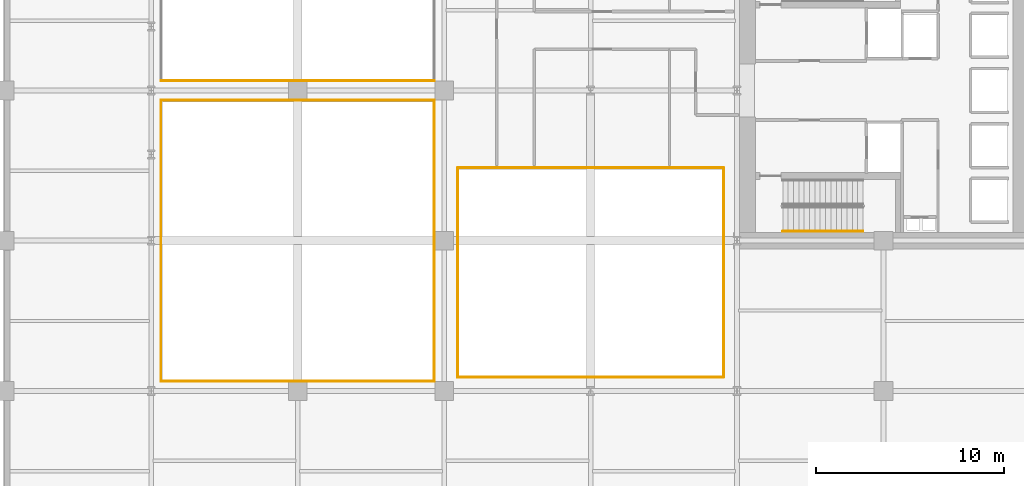
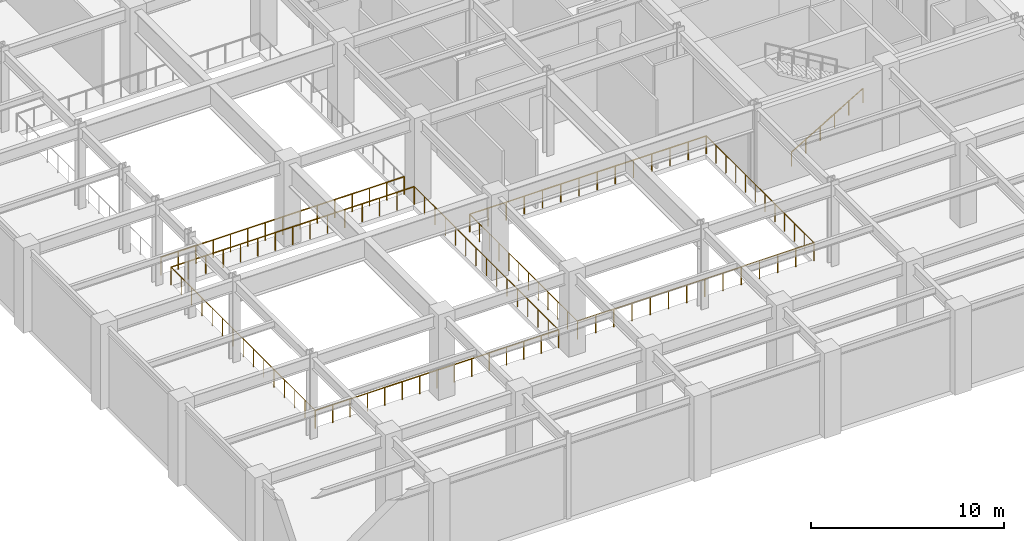
# One storey, part 12 of 15: 10 railings.
"""IFC4 building model written with IfcOpenShell, lengths in metres."""

from ifc_helpers import new_model, si_unit, direction, frame, origin, origin_2d, place, context, subcontext, project, spatial, circle, extrude, material, type_object, element, save


model = new_model("IFC4")

# Units and contexts
model_context = context("Model", 3, precision=1e-05, world=origin(), true_north=direction((0.0, 1.0)))
body_context = subcontext(model_context, "Body", "Model", "MODEL_VIEW")
ifc_project = project(units=[si_unit("LENGTHUNIT", "METRE"), si_unit("AREAUNIT", "SQUARE_METRE"), si_unit("VOLUMEUNIT", "CUBIC_METRE"), si_unit("PLANEANGLEUNIT", "RADIAN"), si_unit("MASSUNIT", "GRAM", prefix="KILO")], contexts=[model_context])

# Site, building, storey
site_placement = place(None, origin())
site = spatial("IfcSite", under=ifc_project, at=site_placement, CompositionType="ELEMENT")
building_placement = place(site_placement, origin())
building = spatial("IfcBuilding", under=site, at=building_placement, Name="Veymaron Broadcast Tower", CompositionType="ELEMENT")
storey_placement = place(building_placement, frame((0.0, 0.0, 5.39990234375)))
storey = spatial("IfcBuildingStorey", under=building, at=storey_placement, Name="L01", CompositionType="ELEMENT", Elevation=5.39990234375)

# Railings
ifc_material_1 = material(Name="Laminated structural glass and stainless handrail", Category="glass")
railing_type_1 = type_object("IfcRailingType", Name="RAIL-ATR-BAL", PredefinedType="BALUSTRADE", material=ifc_material_1)
railing_1_placement = place(storey_placement, frame((8.320068359375, 8.52001953125, 0.0)))
element("IfcRailing", 1, at=railing_1_placement, inside=storey, type_object=railing_type_1, Name="L01 double-height studio void V1 balustrade 1", PredefinedType="BALUSTRADE", context=body_context, shape_type="SweptSolid", body=[
    extrude(circle(Radius=0.02392578125, at=origin_2d()), frame((0.0, 0.0, 1.1259765625), z_axis=(1.0, 0.0, 0.0), x_axis=(0.0, 1.0, 0.0)), (0.0, 0.0, 1.0), 14.559814453125),
    extrude(circle(Radius=0.02099609375, at=origin_2d()), origin(), (0.0, 0.0, 1.0), 1.101806640625),
    extrude(circle(Radius=0.02099609375, at=origin_2d()), frame((1.0400390625, 0.0, 0.0)), (0.0, 0.0, 1.0), 1.101806640625),
    extrude(circle(Radius=0.02099609375, at=origin_2d()), frame((2.080078125, 0.0, 0.0)), (0.0, 0.0, 1.0), 1.101806640625),
    extrude(circle(Radius=0.02099609375, at=origin_2d()), frame((3.119873046875, 0.0, 0.0)), (0.0, 0.0, 1.0), 1.101806640625),
    extrude(circle(Radius=0.02099609375, at=origin_2d()), frame((4.159912109375, 0.0, 0.0)), (0.0, 0.0, 1.0), 1.101806640625),
    extrude(circle(Radius=0.02099609375, at=origin_2d()), frame((5.199951171875, 0.0, 0.0)), (0.0, 0.0, 1.0), 1.101806640625),
    extrude(circle(Radius=0.02099609375, at=origin_2d()), frame((6.239990234375, 0.0, 0.0)), (0.0, 0.0, 1.0), 1.101806640625),
    extrude(circle(Radius=0.02099609375, at=origin_2d()), frame((7.27978515625, 0.0, 0.0)), (0.0, 0.0, 1.0), 1.101806640625),
    extrude(circle(Radius=0.02099609375, at=origin_2d()), frame((8.31982421875, 0.0, 0.0)), (0.0, 0.0, 1.0), 1.101806640625),
    extrude(circle(Radius=0.02099609375, at=origin_2d()), frame((9.35986328125, 0.0, 0.0)), (0.0, 0.0, 1.0), 1.101806640625),
    extrude(circle(Radius=0.02099609375, at=origin_2d()), frame((10.39990234375, 0.0, 0.0)), (0.0, 0.0, 1.0), 1.101806640625),
    extrude(circle(Radius=0.02099609375, at=origin_2d()), frame((11.43994140625, 0.0, 0.0)), (0.0, 0.0, 1.0), 1.101806640625),
    extrude(circle(Radius=0.02099609375, at=origin_2d()), frame((12.479736328125, 0.0, 0.0)), (0.0, 0.0, 1.0), 1.101806640625),
    extrude(circle(Radius=0.02099609375, at=origin_2d()), frame((13.519775390625, 0.0, 0.0)), (0.0, 0.0, 1.0), 1.101806640625),
    extrude(circle(Radius=0.02099609375, at=origin_2d()), frame((14.559814453125, 0.0, 0.0)), (0.0, 0.0, 1.0), 1.101806640625),
])
railing_2_placement = place(storey_placement, frame((22.8798828125, 8.52001953125, 0.0)))
element("IfcRailing", 2, at=railing_2_placement, inside=storey, type_object=railing_type_1, Name="L01 double-height studio void V1 balustrade 2", PredefinedType="BALUSTRADE", context=body_context, shape_type="SweptSolid", body=[
    extrude(circle(Radius=0.02392578125, at=origin_2d()), frame((0.0, 0.0, 1.1259765625), z_axis=(0.0, 1.0, 0.0), x_axis=(-1.0, 0.0, 0.0)), (0.0, 0.0, 1.0), 14.9599609375),
    extrude(circle(Radius=0.02099609375, at=origin_2d()), origin(), (0.0, 0.0, 1.0), 1.101806640625),
    extrude(circle(Radius=0.02099609375, at=origin_2d()), frame((0.0, 1.068603515625, 0.0)), (0.0, 0.0, 1.0), 1.101806640625),
    extrude(circle(Radius=0.02099609375, at=origin_2d()), frame((0.0, 2.13720703125, 0.0)), (0.0, 0.0, 1.0), 1.101806640625),
    extrude(circle(Radius=0.02099609375, at=origin_2d()), frame((0.0, 3.205810546875, 0.0)), (0.0, 0.0, 1.0), 1.101806640625),
    extrude(circle(Radius=0.02099609375, at=origin_2d()), frame((0.0, 4.274169921875, 0.0)), (0.0, 0.0, 1.0), 1.101806640625),
    extrude(circle(Radius=0.02099609375, at=origin_2d()), frame((0.0, 5.3427734375, 0.0)), (0.0, 0.0, 1.0), 1.101806640625),
    extrude(circle(Radius=0.02099609375, at=origin_2d()), frame((0.0, 6.411376953125, 0.0)), (0.0, 0.0, 1.0), 1.101806640625),
    extrude(circle(Radius=0.02099609375, at=origin_2d()), frame((0.0, 7.47998046875, 0.0)), (0.0, 0.0, 1.0), 1.101806640625),
    extrude(circle(Radius=0.02099609375, at=origin_2d()), frame((0.0, 8.548583984375, 0.0)), (0.0, 0.0, 1.0), 1.101806640625),
    extrude(circle(Radius=0.02099609375, at=origin_2d()), frame((0.0, 9.6171875, 0.0)), (0.0, 0.0, 1.0), 1.101806640625),
    extrude(circle(Radius=0.02099609375, at=origin_2d()), frame((0.0, 10.685791015625, 0.0)), (0.0, 0.0, 1.0), 1.101806640625),
    extrude(circle(Radius=0.02099609375, at=origin_2d()), frame((0.0, 11.754150390625, 0.0)), (0.0, 0.0, 1.0), 1.101806640625),
    extrude(circle(Radius=0.02099609375, at=origin_2d()), frame((0.0, 12.82275390625, 0.0)), (0.0, 0.0, 1.0), 1.101806640625),
    extrude(circle(Radius=0.02099609375, at=origin_2d()), frame((0.0, 13.891357421875, 0.0)), (0.0, 0.0, 1.0), 1.101806640625),
    extrude(circle(Radius=0.02099609375, at=origin_2d()), frame((0.0, 14.9599609375, 0.0)), (0.0, 0.0, 1.0), 1.101806640625),
])
railing_3_placement = place(storey_placement, frame((22.8798828125, 23.47998046875, 0.0)))
element("IfcRailing", 3, at=railing_3_placement, inside=storey, type_object=railing_type_1, Name="L01 double-height studio void V1 balustrade 3", PredefinedType="BALUSTRADE", context=body_context, shape_type="SweptSolid", body=[
    extrude(circle(Radius=0.02392578125, at=origin_2d()), frame((0.0, 0.0, 1.1259765625), z_axis=(-1.0, 0.0, 0.0), x_axis=(0.0, -1.0, 0.0)), (0.0, 0.0, 1.0), 14.559814453125),
    extrude(circle(Radius=0.02099609375, at=origin_2d()), origin(), (0.0, 0.0, 1.0), 1.101806640625),
    extrude(circle(Radius=0.02099609375, at=origin_2d()), frame((-1.0400390625, 0.0, 0.0)), (0.0, 0.0, 1.0), 1.101806640625),
    extrude(circle(Radius=0.02099609375, at=origin_2d()), frame((-2.080078125, 0.0, 0.0)), (0.0, 0.0, 1.0), 1.101806640625),
    extrude(circle(Radius=0.02099609375, at=origin_2d()), frame((-3.119873046875, 0.0, 0.0)), (0.0, 0.0, 1.0), 1.101806640625),
    extrude(circle(Radius=0.02099609375, at=origin_2d()), frame((-4.159912109375, 0.0, 0.0)), (0.0, 0.0, 1.0), 1.101806640625),
    extrude(circle(Radius=0.02099609375, at=origin_2d()), frame((-5.199951171875, 0.0, 0.0)), (0.0, 0.0, 1.0), 1.101806640625),
    extrude(circle(Radius=0.02099609375, at=origin_2d()), frame((-6.239990234375, 0.0, 0.0)), (0.0, 0.0, 1.0), 1.101806640625),
    extrude(circle(Radius=0.02099609375, at=origin_2d()), frame((-7.27978515625, 0.0, 0.0)), (0.0, 0.0, 1.0), 1.101806640625),
    extrude(circle(Radius=0.02099609375, at=origin_2d()), frame((-8.31982421875, 0.0, 0.0)), (0.0, 0.0, 1.0), 1.101806640625),
    extrude(circle(Radius=0.02099609375, at=origin_2d()), frame((-9.35986328125, 0.0, 0.0)), (0.0, 0.0, 1.0), 1.101806640625),
    extrude(circle(Radius=0.02099609375, at=origin_2d()), frame((-10.39990234375, 0.0, 0.0)), (0.0, 0.0, 1.0), 1.101806640625),
    extrude(circle(Radius=0.02099609375, at=origin_2d()), frame((-11.43994140625, 0.0, 0.0)), (0.0, 0.0, 1.0), 1.101806640625),
    extrude(circle(Radius=0.02099609375, at=origin_2d()), frame((-12.479736328125, 0.0, 0.0)), (0.0, 0.0, 1.0), 1.101806640625),
    extrude(circle(Radius=0.02099609375, at=origin_2d()), frame((-13.519775390625, 0.0, 0.0)), (0.0, 0.0, 1.0), 1.101806640625),
    extrude(circle(Radius=0.02099609375, at=origin_2d()), frame((-14.559814453125, 0.0, 0.0)), (0.0, 0.0, 1.0), 1.101806640625),
])
railing_4_placement = place(storey_placement, frame((8.320068359375, 23.47998046875, 0.0)))
element("IfcRailing", 4, at=railing_4_placement, inside=storey, type_object=railing_type_1, Name="L01 double-height studio void V1 balustrade 4", PredefinedType="BALUSTRADE", context=body_context, shape_type="SweptSolid", body=[
    extrude(circle(Radius=0.02392578125, at=origin_2d()), frame((0.0, 0.0, 1.1259765625), z_axis=(0.0, -1.0, 0.0), x_axis=(1.0, 0.0, 0.0)), (0.0, 0.0, 1.0), 14.9599609375),
    extrude(circle(Radius=0.02099609375, at=origin_2d()), origin(), (0.0, 0.0, 1.0), 1.101806640625),
    extrude(circle(Radius=0.02099609375, at=origin_2d()), frame((0.0, -1.068603515625, 0.0)), (0.0, 0.0, 1.0), 1.101806640625),
    extrude(circle(Radius=0.02099609375, at=origin_2d()), frame((0.0, -2.13720703125, 0.0)), (0.0, 0.0, 1.0), 1.101806640625),
    extrude(circle(Radius=0.02099609375, at=origin_2d()), frame((0.0, -3.205810546875, 0.0)), (0.0, 0.0, 1.0), 1.101806640625),
    extrude(circle(Radius=0.02099609375, at=origin_2d()), frame((0.0, -4.274169921875, 0.0)), (0.0, 0.0, 1.0), 1.101806640625),
    extrude(circle(Radius=0.02099609375, at=origin_2d()), frame((0.0, -5.3427734375, 0.0)), (0.0, 0.0, 1.0), 1.101806640625),
    extrude(circle(Radius=0.02099609375, at=origin_2d()), frame((0.0, -6.411376953125, 0.0)), (0.0, 0.0, 1.0), 1.101806640625),
    extrude(circle(Radius=0.02099609375, at=origin_2d()), frame((0.0, -7.47998046875, 0.0)), (0.0, 0.0, 1.0), 1.101806640625),
    extrude(circle(Radius=0.02099609375, at=origin_2d()), frame((0.0, -8.548583984375, 0.0)), (0.0, 0.0, 1.0), 1.101806640625),
    extrude(circle(Radius=0.02099609375, at=origin_2d()), frame((0.0, -9.6171875, 0.0)), (0.0, 0.0, 1.0), 1.101806640625),
    extrude(circle(Radius=0.02099609375, at=origin_2d()), frame((0.0, -10.685791015625, 0.0)), (0.0, 0.0, 1.0), 1.101806640625),
    extrude(circle(Radius=0.02099609375, at=origin_2d()), frame((0.0, -11.754150390625, 0.0)), (0.0, 0.0, 1.0), 1.101806640625),
    extrude(circle(Radius=0.02099609375, at=origin_2d()), frame((0.0, -12.82275390625, 0.0)), (0.0, 0.0, 1.0), 1.101806640625),
    extrude(circle(Radius=0.02099609375, at=origin_2d()), frame((0.0, -13.891357421875, 0.0)), (0.0, 0.0, 1.0), 1.101806640625),
    extrude(circle(Radius=0.02099609375, at=origin_2d()), frame((0.0, -14.9599609375, 0.0)), (0.0, 0.0, 1.0), 1.101806640625),
])
railing_5_placement = place(storey_placement, frame((8.320068359375, 24.52001953125, 0.0)))
element("IfcRailing", 5, at=railing_5_placement, inside=storey, type_object=railing_type_1, Name="L01 double-height studio void V2 balustrade 1", PredefinedType="BALUSTRADE", context=body_context, shape_type="SweptSolid", body=[
    extrude(circle(Radius=0.02392578125, at=origin_2d()), frame((0.0, 0.0, 1.1259765625), z_axis=(1.0, 0.0, 0.0), x_axis=(0.0, 1.0, 0.0)), (0.0, 0.0, 1.0), 14.559814453125),
    extrude(circle(Radius=0.02099609375, at=origin_2d()), origin(), (0.0, 0.0, 1.0), 1.101806640625),
    extrude(circle(Radius=0.02099609375, at=origin_2d()), frame((1.0400390625, 0.0, 0.0)), (0.0, 0.0, 1.0), 1.101806640625),
    extrude(circle(Radius=0.02099609375, at=origin_2d()), frame((2.080078125, 0.0, 0.0)), (0.0, 0.0, 1.0), 1.101806640625),
    extrude(circle(Radius=0.02099609375, at=origin_2d()), frame((3.119873046875, 0.0, 0.0)), (0.0, 0.0, 1.0), 1.101806640625),
    extrude(circle(Radius=0.02099609375, at=origin_2d()), frame((4.159912109375, 0.0, 0.0)), (0.0, 0.0, 1.0), 1.101806640625),
    extrude(circle(Radius=0.02099609375, at=origin_2d()), frame((5.199951171875, 0.0, 0.0)), (0.0, 0.0, 1.0), 1.101806640625),
    extrude(circle(Radius=0.02099609375, at=origin_2d()), frame((6.239990234375, 0.0, 0.0)), (0.0, 0.0, 1.0), 1.101806640625),
    extrude(circle(Radius=0.02099609375, at=origin_2d()), frame((7.27978515625, 0.0, 0.0)), (0.0, 0.0, 1.0), 1.101806640625),
    extrude(circle(Radius=0.02099609375, at=origin_2d()), frame((8.31982421875, 0.0, 0.0)), (0.0, 0.0, 1.0), 1.101806640625),
    extrude(circle(Radius=0.02099609375, at=origin_2d()), frame((9.35986328125, 0.0, 0.0)), (0.0, 0.0, 1.0), 1.101806640625),
    extrude(circle(Radius=0.02099609375, at=origin_2d()), frame((10.39990234375, 0.0, 0.0)), (0.0, 0.0, 1.0), 1.101806640625),
    extrude(circle(Radius=0.02099609375, at=origin_2d()), frame((11.43994140625, 0.0, 0.0)), (0.0, 0.0, 1.0), 1.101806640625),
    extrude(circle(Radius=0.02099609375, at=origin_2d()), frame((12.479736328125, 0.0, 0.0)), (0.0, 0.0, 1.0), 1.101806640625),
    extrude(circle(Radius=0.02099609375, at=origin_2d()), frame((13.519775390625, 0.0, 0.0)), (0.0, 0.0, 1.0), 1.101806640625),
    extrude(circle(Radius=0.02099609375, at=origin_2d()), frame((14.559814453125, 0.0, 0.0)), (0.0, 0.0, 1.0), 1.101806640625),
])
railing_6_placement = place(storey_placement, frame((24.1201171875, 8.719970703125, 0.0)))
element("IfcRailing", 6, at=railing_6_placement, inside=storey, type_object=railing_type_1, Name="L01 double-height studio void V3 balustrade 1", PredefinedType="BALUSTRADE", context=body_context, shape_type="SweptSolid", body=[
    extrude(circle(Radius=0.02392578125, at=origin_2d()), frame((0.0, 0.0, 1.1259765625), z_axis=(1.0, 0.0, 0.0), x_axis=(0.0, 1.0, 0.0)), (0.0, 0.0, 1.0), 14.159912109375),
    extrude(circle(Radius=0.02099609375, at=origin_2d()), origin(), (0.0, 0.0, 1.0), 1.101806640625),
    extrude(circle(Radius=0.02099609375, at=origin_2d()), frame((1.089111328125, 0.0, 0.0)), (0.0, 0.0, 1.0), 1.101806640625),
    extrude(circle(Radius=0.02099609375, at=origin_2d()), frame((2.178466796875, 0.0, 0.0)), (0.0, 0.0, 1.0), 1.101806640625),
    extrude(circle(Radius=0.02099609375, at=origin_2d()), frame((3.267578125, 0.0, 0.0)), (0.0, 0.0, 1.0), 1.101806640625),
    extrude(circle(Radius=0.02099609375, at=origin_2d()), frame((4.35693359375, 0.0, 0.0)), (0.0, 0.0, 1.0), 1.101806640625),
    extrude(circle(Radius=0.02099609375, at=origin_2d()), frame((5.446044921875, 0.0, 0.0)), (0.0, 0.0, 1.0), 1.101806640625),
    extrude(circle(Radius=0.02099609375, at=origin_2d()), frame((6.535400390625, 0.0, 0.0)), (0.0, 0.0, 1.0), 1.101806640625),
    extrude(circle(Radius=0.02099609375, at=origin_2d()), frame((7.62451171875, 0.0, 0.0)), (0.0, 0.0, 1.0), 1.101806640625),
    extrude(circle(Radius=0.02099609375, at=origin_2d()), frame((8.7138671875, 0.0, 0.0)), (0.0, 0.0, 1.0), 1.101806640625),
    extrude(circle(Radius=0.02099609375, at=origin_2d()), frame((9.802978515625, 0.0, 0.0)), (0.0, 0.0, 1.0), 1.101806640625),
    extrude(circle(Radius=0.02099609375, at=origin_2d()), frame((10.892333984375, 0.0, 0.0)), (0.0, 0.0, 1.0), 1.101806640625),
    extrude(circle(Radius=0.02099609375, at=origin_2d()), frame((11.9814453125, 0.0, 0.0)), (0.0, 0.0, 1.0), 1.101806640625),
    extrude(circle(Radius=0.02099609375, at=origin_2d()), frame((13.07080078125, 0.0, 0.0)), (0.0, 0.0, 1.0), 1.101806640625),
    extrude(circle(Radius=0.02099609375, at=origin_2d()), frame((14.159912109375, 0.0, 0.0)), (0.0, 0.0, 1.0), 1.101806640625),
])
railing_7_placement = place(storey_placement, frame((38.280029296875, 8.719970703125, 0.0)))
element("IfcRailing", 7, at=railing_7_placement, inside=storey, type_object=railing_type_1, Name="L01 double-height studio void V3 balustrade 2", PredefinedType="BALUSTRADE", context=body_context, shape_type="SweptSolid", body=[
    extrude(circle(Radius=0.02392578125, at=origin_2d()), frame((0.0, 0.0, 1.1259765625), z_axis=(0.0, 1.0, 0.0), x_axis=(-1.0, 0.0, 0.0)), (0.0, 0.0, 1.0), 11.159912109375),
    extrude(circle(Radius=0.02099609375, at=origin_2d()), origin(), (0.0, 0.0, 1.0), 1.101806640625),
    extrude(circle(Radius=0.02099609375, at=origin_2d()), frame((0.0, 1.0146484375, 0.0)), (0.0, 0.0, 1.0), 1.101806640625),
    extrude(circle(Radius=0.02099609375, at=origin_2d()), frame((0.0, 2.029052734375, 0.0)), (0.0, 0.0, 1.0), 1.101806640625),
    extrude(circle(Radius=0.02099609375, at=origin_2d()), frame((0.0, 3.043701171875, 0.0)), (0.0, 0.0, 1.0), 1.101806640625),
    extrude(circle(Radius=0.02099609375, at=origin_2d()), frame((0.0, 4.05810546875, 0.0)), (0.0, 0.0, 1.0), 1.101806640625),
    extrude(circle(Radius=0.02099609375, at=origin_2d()), frame((0.0, 5.07275390625, 0.0)), (0.0, 0.0, 1.0), 1.101806640625),
    extrude(circle(Radius=0.02099609375, at=origin_2d()), frame((0.0, 6.087158203125, 0.0)), (0.0, 0.0, 1.0), 1.101806640625),
    extrude(circle(Radius=0.02099609375, at=origin_2d()), frame((0.0, 7.101806640625, 0.0)), (0.0, 0.0, 1.0), 1.101806640625),
    extrude(circle(Radius=0.02099609375, at=origin_2d()), frame((0.0, 8.1162109375, 0.0)), (0.0, 0.0, 1.0), 1.101806640625),
    extrude(circle(Radius=0.02099609375, at=origin_2d()), frame((0.0, 9.130859375, 0.0)), (0.0, 0.0, 1.0), 1.101806640625),
    extrude(circle(Radius=0.02099609375, at=origin_2d()), frame((0.0, 10.145263671875, 0.0)), (0.0, 0.0, 1.0), 1.101806640625),
    extrude(circle(Radius=0.02099609375, at=origin_2d()), frame((0.0, 11.159912109375, 0.0)), (0.0, 0.0, 1.0), 1.101806640625),
])
railing_8_placement = place(storey_placement, frame((38.280029296875, 19.8798828125, 0.0)))
element("IfcRailing", 8, at=railing_8_placement, inside=storey, type_object=railing_type_1, Name="L01 double-height studio void V3 balustrade 3", PredefinedType="BALUSTRADE", context=body_context, shape_type="SweptSolid", body=[
    extrude(circle(Radius=0.02392578125, at=origin_2d()), frame((0.0, 0.0, 1.1259765625), z_axis=(-1.0, 0.0, 0.0), x_axis=(0.0, -1.0, 0.0)), (0.0, 0.0, 1.0), 14.159912109375),
    extrude(circle(Radius=0.02099609375, at=origin_2d()), origin(), (0.0, 0.0, 1.0), 1.101806640625),
    extrude(circle(Radius=0.02099609375, at=origin_2d()), frame((-1.089111328125, 0.0, 0.0)), (0.0, 0.0, 1.0), 1.101806640625),
    extrude(circle(Radius=0.02099609375, at=origin_2d()), frame((-2.178466796875, 0.0, 0.0)), (0.0, 0.0, 1.0), 1.101806640625),
    extrude(circle(Radius=0.02099609375, at=origin_2d()), frame((-3.267578125, 0.0, 0.0)), (0.0, 0.0, 1.0), 1.101806640625),
    extrude(circle(Radius=0.02099609375, at=origin_2d()), frame((-4.35693359375, 0.0, 0.0)), (0.0, 0.0, 1.0), 1.101806640625),
    extrude(circle(Radius=0.02099609375, at=origin_2d()), frame((-5.446044921875, 0.0, 0.0)), (0.0, 0.0, 1.0), 1.101806640625),
    extrude(circle(Radius=0.02099609375, at=origin_2d()), frame((-6.535400390625, 0.0, 0.0)), (0.0, 0.0, 1.0), 1.101806640625),
    extrude(circle(Radius=0.02099609375, at=origin_2d()), frame((-7.62451171875, 0.0, 0.0)), (0.0, 0.0, 1.0), 1.101806640625),
    extrude(circle(Radius=0.02099609375, at=origin_2d()), frame((-8.7138671875, 0.0, 0.0)), (0.0, 0.0, 1.0), 1.101806640625),
    extrude(circle(Radius=0.02099609375, at=origin_2d()), frame((-9.802978515625, 0.0, 0.0)), (0.0, 0.0, 1.0), 1.101806640625),
    extrude(circle(Radius=0.02099609375, at=origin_2d()), frame((-10.892333984375, 0.0, 0.0)), (0.0, 0.0, 1.0), 1.101806640625),
    extrude(circle(Radius=0.02099609375, at=origin_2d()), frame((-11.9814453125, 0.0, 0.0)), (0.0, 0.0, 1.0), 1.101806640625),
    extrude(circle(Radius=0.02099609375, at=origin_2d()), frame((-13.07080078125, 0.0, 0.0)), (0.0, 0.0, 1.0), 1.101806640625),
    extrude(circle(Radius=0.02099609375, at=origin_2d()), frame((-14.159912109375, 0.0, 0.0)), (0.0, 0.0, 1.0), 1.101806640625),
])
railing_9_placement = place(storey_placement, frame((24.1201171875, 19.8798828125, 0.0)))
element("IfcRailing", 9, at=railing_9_placement, inside=storey, type_object=railing_type_1, Name="L01 double-height studio void V3 balustrade 4", PredefinedType="BALUSTRADE", context=body_context, shape_type="SweptSolid", body=[
    extrude(circle(Radius=0.02392578125, at=origin_2d()), frame((0.0, 0.0, 1.1259765625), z_axis=(0.0, -1.0, 0.0), x_axis=(1.0, 0.0, 0.0)), (0.0, 0.0, 1.0), 11.159912109375),
    extrude(circle(Radius=0.02099609375, at=origin_2d()), origin(), (0.0, 0.0, 1.0), 1.101806640625),
    extrude(circle(Radius=0.02099609375, at=origin_2d()), frame((0.0, -1.0146484375, 0.0)), (0.0, 0.0, 1.0), 1.101806640625),
    extrude(circle(Radius=0.02099609375, at=origin_2d()), frame((0.0, -2.029052734375, 0.0)), (0.0, 0.0, 1.0), 1.101806640625),
    extrude(circle(Radius=0.02099609375, at=origin_2d()), frame((0.0, -3.043701171875, 0.0)), (0.0, 0.0, 1.0), 1.101806640625),
    extrude(circle(Radius=0.02099609375, at=origin_2d()), frame((0.0, -4.05810546875, 0.0)), (0.0, 0.0, 1.0), 1.101806640625),
    extrude(circle(Radius=0.02099609375, at=origin_2d()), frame((0.0, -5.07275390625, 0.0)), (0.0, 0.0, 1.0), 1.101806640625),
    extrude(circle(Radius=0.02099609375, at=origin_2d()), frame((0.0, -6.087158203125, 0.0)), (0.0, 0.0, 1.0), 1.101806640625),
    extrude(circle(Radius=0.02099609375, at=origin_2d()), frame((0.0, -7.101806640625, 0.0)), (0.0, 0.0, 1.0), 1.101806640625),
    extrude(circle(Radius=0.02099609375, at=origin_2d()), frame((0.0, -8.1162109375, 0.0)), (0.0, 0.0, 1.0), 1.101806640625),
    extrude(circle(Radius=0.02099609375, at=origin_2d()), frame((0.0, -9.130859375, 0.0)), (0.0, 0.0, 1.0), 1.101806640625),
    extrude(circle(Radius=0.02099609375, at=origin_2d()), frame((0.0, -10.145263671875, 0.0)), (0.0, 0.0, 1.0), 1.101806640625),
    extrude(circle(Radius=0.02099609375, at=origin_2d()), frame((0.0, -11.159912109375, 0.0)), (0.0, 0.0, 1.0), 1.101806640625),
])
ifc_material_2 = material(Name="Brushed stainless steel AISI 304", Category="steel")
railing_type_2 = type_object("IfcRailingType", Name="RAIL-STAIR-HR", PredefinedType="HANDRAIL", material=ifc_material_2)
railing_10_placement = place(storey_placement, frame((41.429931640625, 16.5, 0.1689453125)))
element("IfcRailing", 10, at=railing_10_placement, inside=storey, type_object=railing_type_2, Name="L01 ST2 stair handrail 1", PredefinedType="HANDRAIL", context=body_context, shape_type="SweptSolid", body=[
    extrude(circle(Radius=0.02392578125, at=origin_2d()), frame((0.0, 0.0, 0.8759765625), z_axis=(0.860483042394, 0.0, 0.50947908078), x_axis=(0.0, 1.0, 0.0)), (0.0, 0.0, 1.0), 4.96826171875),
    extrude(circle(Radius=0.02099609375, at=origin_2d()), origin(), (0.0, 0.0, 1.0), 0.851806640625),
    extrude(circle(Radius=0.02099609375, at=origin_2d()), frame((0.85498046875, 0.0, 0.50634765625)), (0.0, 0.0, 1.0), 0.851806640625),
    extrude(circle(Radius=0.02099609375, at=origin_2d()), frame((1.7099609375, 0.0, 1.012451171875)), (0.0, 0.0, 1.0), 0.851806640625),
    extrude(circle(Radius=0.02099609375, at=origin_2d()), frame((2.565185546875, 0.0, 1.518798828125)), (0.0, 0.0, 1.0), 0.851806640625),
    extrude(circle(Radius=0.02099609375, at=origin_2d()), frame((3.420166015625, 0.0, 2.02490234375)), (0.0, 0.0, 1.0), 0.851806640625),
    extrude(circle(Radius=0.02099609375, at=origin_2d()), frame((4.275146484375, 0.0, 2.53125)), (0.0, 0.0, 1.0), 0.851806640625),
])

save(model, "model.ifc")
